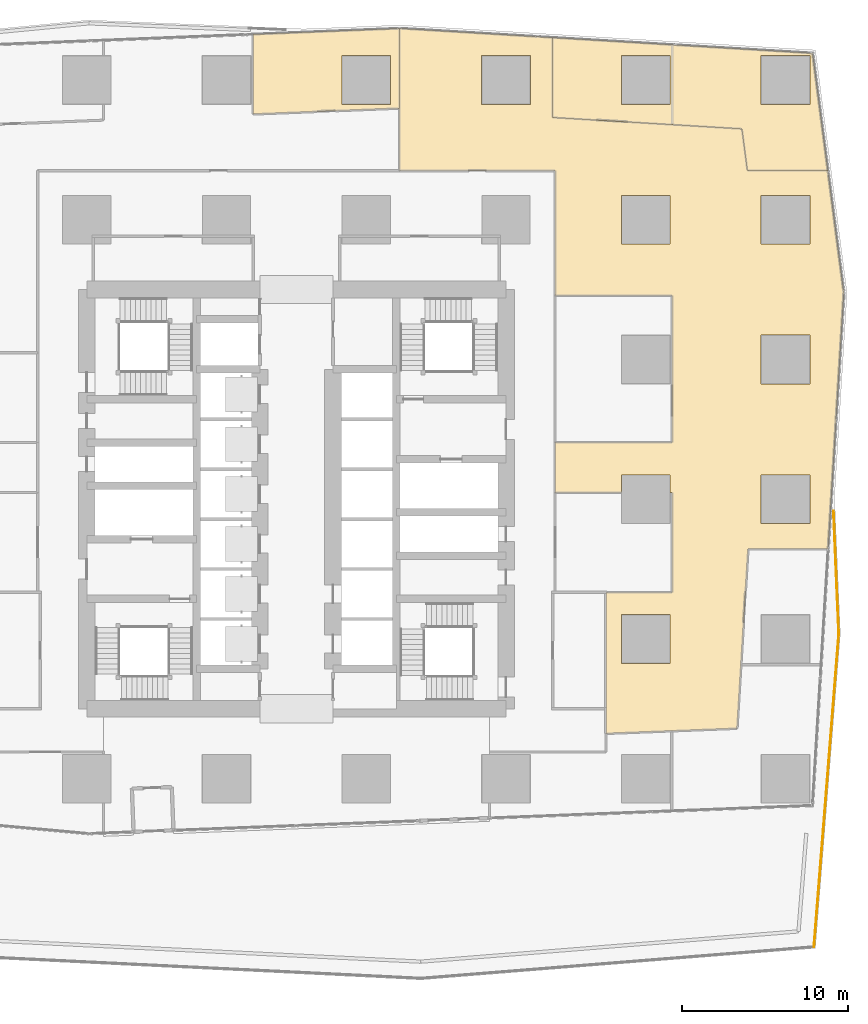
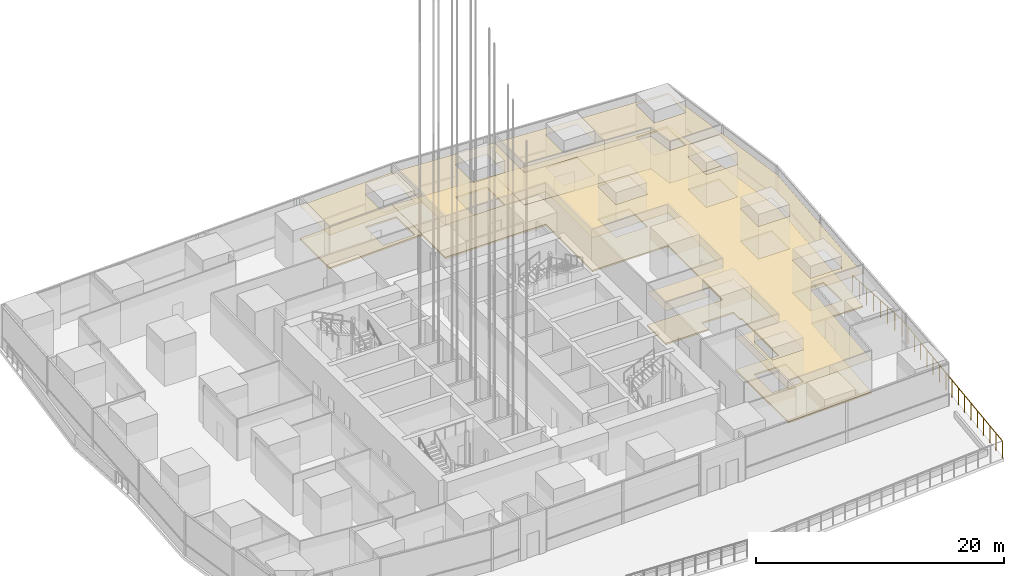
# One storey, part 31 of 44: 6 coverings, 2 railings.
"""IFC4 building model written with IfcOpenShell, lengths in metres."""

from ifc_helpers import new_model, si_unit, direction, frame, origin, origin_2d, place, context, subcontext, project, spatial, polyline, circle, outline, extrude, material, layer, layer_set, type_object, element, save


model = new_model("IFC4")

# Units and contexts
model_context = context("Model", 3, precision=1e-05, world=origin(), true_north=direction((0.0, 1.0)))
body_context = subcontext(model_context, "Body", "Model", "MODEL_VIEW")
ifc_project = project(units=[si_unit("LENGTHUNIT", "METRE"), si_unit("AREAUNIT", "SQUARE_METRE"), si_unit("VOLUMEUNIT", "CUBIC_METRE"), si_unit("PLANEANGLEUNIT", "RADIAN"), si_unit("MASSUNIT", "GRAM", prefix="KILO")], contexts=[model_context])

# Site, building, storey
site_placement = place(None, origin())
site = spatial("IfcSite", under=ifc_project, at=site_placement, CompositionType="ELEMENT")
building_placement = place(site_placement, origin())
building = spatial("IfcBuilding", under=site, at=building_placement, Name="Rekha Terrace Tower", CompositionType="ELEMENT")
storey_placement = place(building_placement, frame((0.0, 0.0, 90.800048828125)))
storey = spatial("IfcBuildingStorey", under=building, at=storey_placement, Name="L22", CompositionType="ELEMENT", Elevation=90.800048828125)

# Coverings
ifc_material_1 = material(Name="Mineral fibre tile in exposed grid", Category="finish")
ifc_layer_1 = layer(ifc_material_1, 0.02001953125)
ifc_layer_set_1 = layer_set([ifc_layer_1], Name="Mineral fibre tile in exposed grid")
covering_type_1 = type_object("IfcCoveringType", Name="CL1 600x1200 office grid ceiling", PredefinedType="CEILING", material=ifc_layer_set_1)
covering_1_placement = place(storey_placement, frame((0.0, 0.0, 3.329833984375)))
element("IfcCovering", 1, at=covering_1_placement, inside=storey, type_object=covering_type_1, Name="Ceiling L22-06", PredefinedType="CEILING", context=body_context, shape_type="SweptSolid", body=[
    extrude(outline(polyline([(68.778076171875, 60.4130859375), (60.383056640625, 60.9169921875), (53.197021484375, 61.34912109375), (53.197021484375, 56.541015625), (60.385986328125, 56.10888671875), (64.574951171875, 55.85693359375), (64.902099609375, 53.347900390625), (69.741943359375, 53.347900390625), (69.156982421875, 57.841064453125), (68.822998046875, 60.409912109375), (68.778076171875, 60.4130859375)]), holes=[polyline([(68.6650390625, 57.3349609375), (65.735107421875, 57.3349609375), (65.735107421875, 60.264892578125), (68.6650390625, 60.264892578125), (68.6650390625, 57.3349609375)]), polyline([(60.264892578125, 57.3349609375), (57.3349609375, 57.3349609375), (57.3349609375, 60.264892578125), (60.264892578125, 60.264892578125), (60.264892578125, 57.3349609375)])]), origin(), (0.0, 0.0, 1.0), 0.02001953125),
])
covering_2_placement = place(storey_placement, frame((0.0, 0.0, 3.329833984375)))
element("IfcCovering", 2, at=covering_2_placement, inside=storey, type_object=covering_type_1, Name="Ceiling L22-O1", PredefinedType="CEILING", context=body_context, shape_type="SweptSolid", body=[
    extrude(outline(polyline([(56.39990234375, 19.512939453125), (60.362060546875, 19.66796875), (64.285888671875, 19.820068359375), (64.51904296875, 23.635009765625), (64.946044921875, 30.596923828125), (69.7548828125, 30.596923828125), (70.35498046875, 40.388916015625), (70.7109375, 46.197021484375), (70.673095703125, 46.197021484375), (69.741943359375, 53.347900390625), (64.902099609375, 53.347900390625), (64.574951171875, 55.85693359375), (60.385009765625, 56.10888671875), (53.197021484375, 56.541015625), (53.197021484375, 61.34912109375), (44.0380859375, 61.89990234375), (43.993896484375, 61.89794921875), (43.993896484375, 53.35009765625), (53.35009765625, 53.35009765625), (53.35009765625, 45.8359375), (60.385986328125, 45.8359375), (60.385986328125, 37.0), (53.35009765625, 37.0), (53.35009765625, 34.0), (57.3349609375, 34.0), (57.3349609375, 35.06494140625), (60.264892578125, 35.06494140625), (60.264892578125, 34.0), (60.385986328125, 34.0), (60.385986328125, 28.0), (56.39990234375, 28.0), (56.39990234375, 19.512939453125)]), holes=[polyline([(68.6650390625, 35.06494140625), (68.6650390625, 32.135009765625), (65.735107421875, 32.135009765625), (65.735107421875, 35.06494140625), (68.6650390625, 35.06494140625)]), polyline([(68.6650390625, 40.534912109375), (65.735107421875, 40.534912109375), (65.735107421875, 43.465087890625), (68.6650390625, 43.465087890625), (68.6650390625, 40.534912109375)]), polyline([(68.6650390625, 48.93505859375), (65.735107421875, 48.93505859375), (65.735107421875, 51.864990234375), (68.6650390625, 51.864990234375), (68.6650390625, 48.93505859375)]), polyline([(60.264892578125, 26.6650390625), (60.264892578125, 23.735107421875), (57.3349609375, 23.735107421875), (57.3349609375, 26.6650390625), (60.264892578125, 26.6650390625)]), polyline([(60.264892578125, 48.93505859375), (57.3349609375, 48.93505859375), (57.3349609375, 51.864990234375), (60.264892578125, 51.864990234375), (60.264892578125, 48.93505859375)]), polyline([(51.864990234375, 57.3349609375), (48.93505859375, 57.3349609375), (48.93505859375, 60.264892578125), (51.864990234375, 60.264892578125), (51.864990234375, 57.3349609375)])]), origin(), (0.0, 0.0, 1.0), 0.02001953125),
])
covering_3_placement = place(storey_placement, frame((0.0, 0.0, 3.329833984375)))
element("IfcCovering", 3, at=covering_3_placement, inside=storey, type_object=covering_type_1, Name="Ceiling L22-10", PredefinedType="CEILING", context=body_context, shape_type="SweptSolid", body=[
    extrude(outline(polyline([(43.992919921875, 61.89794921875), (35.199951171875, 61.5458984375), (35.199951171875, 56.741943359375), (43.992919921875, 57.093994140625), (43.992919921875, 61.89794921875)]), holes=[polyline([(43.465087890625, 57.3349609375), (40.534912109375, 57.3349609375), (40.534912109375, 60.264892578125), (43.465087890625, 60.264892578125), (43.465087890625, 57.3349609375)])]), origin(), (0.0, 0.0, 1.0), 0.02001953125),
])

# Railings
ifc_material_2 = material(Name="Stainless steel posts and laminated glass infill", Category="steel")
railing_type = type_object("IfcRailingType", Name="GR4 terrace glass guard 1700", PredefinedType="GUARDRAIL", material=ifc_material_2)
railing_1_placement = place(storey_placement, frame((68.906982421875, 6.69287109375, 0.0)))
element("IfcRailing", 4, at=railing_1_placement, inside=storey, type_object=railing_type, Name="Terrace guard", PredefinedType="GUARDRAIL", context=body_context, shape_type="SweptSolid", body=[
    extrude(circle(Radius=0.02392578125, at=origin_2d()), frame((0.0, 0.0, 1.67578125), z_axis=(0.079124465067, 0.996864744601, 0.0), x_axis=(-0.996864744601, 0.079124465067, 0.0)), (0.0, 0.0, 1.0), 18.867919921875),
    extrude(circle(Radius=0.02099609375, at=origin_2d()), origin(), (0.0, 0.0, 1.0), 1.65185546875),
    extrude(circle(Radius=0.02099609375, at=origin_2d()), frame((0.09326171875, 1.175537109375, 0.0)), (0.0, 0.0, 1.0), 1.65185546875),
    extrude(circle(Radius=0.02099609375, at=origin_2d()), frame((0.1865234375, 2.35107421875, 0.0)), (0.0, 0.0, 1.0), 1.65185546875),
    extrude(circle(Radius=0.02099609375, at=origin_2d()), frame((0.280029296875, 3.526611328125, 0.0)), (0.0, 0.0, 1.0), 1.65185546875),
    extrude(circle(Radius=0.02099609375, at=origin_2d()), frame((0.373291015625, 4.7021484375, 0.0)), (0.0, 0.0, 1.0), 1.65185546875),
    extrude(circle(Radius=0.02099609375, at=origin_2d()), frame((0.466552734375, 5.877685546875, 0.0)), (0.0, 0.0, 1.0), 1.65185546875),
    extrude(circle(Radius=0.02099609375, at=origin_2d()), frame((0.559814453125, 7.05322265625, 0.0)), (0.0, 0.0, 1.0), 1.65185546875),
    extrude(circle(Radius=0.02099609375, at=origin_2d()), frame((0.653076171875, 8.228759765625, 0.0)), (0.0, 0.0, 1.0), 1.65185546875),
    extrude(circle(Radius=0.02099609375, at=origin_2d()), frame((0.74658203125, 9.404296875, 0.0)), (0.0, 0.0, 1.0), 1.65185546875),
    extrude(circle(Radius=0.02099609375, at=origin_2d()), frame((0.83984375, 10.580078125, 0.0)), (0.0, 0.0, 1.0), 1.65185546875),
    extrude(circle(Radius=0.02099609375, at=origin_2d()), frame((0.93310546875, 11.755615234375, 0.0)), (0.0, 0.0, 1.0), 1.65185546875),
    extrude(circle(Radius=0.02099609375, at=origin_2d()), frame((1.0263671875, 12.93115234375, 0.0)), (0.0, 0.0, 1.0), 1.65185546875),
    extrude(circle(Radius=0.02099609375, at=origin_2d()), frame((1.11962890625, 14.106689453125, 0.0)), (0.0, 0.0, 1.0), 1.65185546875),
    extrude(circle(Radius=0.02099609375, at=origin_2d()), frame((1.212890625, 15.2822265625, 0.0)), (0.0, 0.0, 1.0), 1.65185546875),
    extrude(circle(Radius=0.02099609375, at=origin_2d()), frame((1.306396484375, 16.457763671875, 0.0)), (0.0, 0.0, 1.0), 1.65185546875),
    extrude(circle(Radius=0.02099609375, at=origin_2d()), frame((1.399658203125, 17.63330078125, 0.0)), (0.0, 0.0, 1.0), 1.65185546875),
    extrude(circle(Radius=0.02099609375, at=origin_2d()), frame((1.492919921875, 18.808837890625, 0.0)), (0.0, 0.0, 1.0), 1.65185546875),
])
railing_2_placement = place(storey_placement, frame((70.39990234375, 25.501708984375, 0.0)))
element("IfcRailing", 5, at=railing_2_placement, inside=storey, type_object=railing_type, Name="Terrace guard", PredefinedType="GUARDRAIL", context=body_context, shape_type="SweptSolid", body=[
    extrude(circle(Radius=0.02392578125, at=origin_2d()), frame((0.0, 0.0, 1.67578125), z_axis=(-0.042704545751, 0.999087744781, 0.0), x_axis=(-0.999087744781, -0.042704545751, 0.0)), (0.0, 0.0, 1.0), 7.375),
    extrude(circle(Radius=0.02099609375, at=origin_2d()), origin(), (0.0, 0.0, 1.0), 1.65185546875),
    extrude(circle(Radius=0.02099609375, at=origin_2d()), frame((-0.044921875, 1.052490234375, 0.0)), (0.0, 0.0, 1.0), 1.65185546875),
    extrude(circle(Radius=0.02099609375, at=origin_2d()), frame((-0.090087890625, 2.105224609375, 0.0)), (0.0, 0.0, 1.0), 1.65185546875),
    extrude(circle(Radius=0.02099609375, at=origin_2d()), frame((-0.135009765625, 3.15771484375, 0.0)), (0.0, 0.0, 1.0), 1.65185546875),
    extrude(circle(Radius=0.02099609375, at=origin_2d()), frame((-0.179931640625, 4.21044921875, 0.0)), (0.0, 0.0, 1.0), 1.65185546875),
    extrude(circle(Radius=0.02099609375, at=origin_2d()), frame((-0.224853515625, 5.262939453125, 0.0)), (0.0, 0.0, 1.0), 1.65185546875),
    extrude(circle(Radius=0.02099609375, at=origin_2d()), frame((-0.27001953125, 6.315673828125, 0.0)), (0.0, 0.0, 1.0), 1.65185546875),
    extrude(circle(Radius=0.02099609375, at=origin_2d()), frame((-0.31494140625, 7.3681640625, 0.0)), (0.0, 0.0, 1.0), 1.65185546875),
])

# Coverings
ifc_material_3 = material(Name="Calcium sulphate panels on steel pedestals", Category="steel")
ifc_layer_2 = layer(ifc_material_3, 0.14990234375)
ifc_layer_set_2 = layer_set([ifc_layer_2], Name="Calcium sulphate panels on steel pedestals")
covering_type_2 = type_object("IfcCoveringType", Name="RF1 150 raised access floor", PredefinedType="FLOORING", material=ifc_layer_set_2)
covering_4_placement = place(storey_placement, origin())
element("IfcCovering", 6, at=covering_4_placement, inside=storey, type_object=covering_type_2, Name="Raised floor L22-06", PredefinedType="FLOORING", context=body_context, shape_type="SweptSolid", body=[
    extrude(outline(polyline([(68.778076171875, 60.4130859375), (60.383056640625, 60.9169921875), (53.197021484375, 61.34912109375), (53.197021484375, 56.541015625), (60.385986328125, 56.10888671875), (64.574951171875, 55.85693359375), (64.902099609375, 53.347900390625), (69.741943359375, 53.347900390625), (69.156982421875, 57.841064453125), (68.822998046875, 60.409912109375), (68.778076171875, 60.4130859375)]), holes=[polyline([(68.6650390625, 57.3349609375), (65.735107421875, 57.3349609375), (65.735107421875, 60.264892578125), (68.6650390625, 60.264892578125), (68.6650390625, 57.3349609375)]), polyline([(60.264892578125, 57.3349609375), (57.3349609375, 57.3349609375), (57.3349609375, 60.264892578125), (60.264892578125, 60.264892578125), (60.264892578125, 57.3349609375)])]), origin(), (0.0, 0.0, 1.0), 0.14990234375),
])
covering_5_placement = place(storey_placement, origin())
element("IfcCovering", 7, at=covering_5_placement, inside=storey, type_object=covering_type_2, Name="Raised floor L22-O1", PredefinedType="FLOORING", context=body_context, shape_type="SweptSolid", body=[
    extrude(outline(polyline([(56.39990234375, 19.512939453125), (60.362060546875, 19.66796875), (64.285888671875, 19.820068359375), (64.51904296875, 23.635009765625), (64.946044921875, 30.596923828125), (69.7548828125, 30.596923828125), (70.35498046875, 40.388916015625), (70.7109375, 46.197021484375), (70.673095703125, 46.197021484375), (69.741943359375, 53.347900390625), (64.902099609375, 53.347900390625), (64.574951171875, 55.85693359375), (60.385009765625, 56.10888671875), (53.197021484375, 56.541015625), (53.197021484375, 61.34912109375), (44.0380859375, 61.89990234375), (43.993896484375, 61.89794921875), (43.993896484375, 53.35009765625), (53.35009765625, 53.35009765625), (53.35009765625, 45.8359375), (60.385986328125, 45.8359375), (60.385986328125, 37.0), (53.35009765625, 37.0), (53.35009765625, 34.0), (57.3349609375, 34.0), (57.3349609375, 35.06494140625), (60.264892578125, 35.06494140625), (60.264892578125, 34.0), (60.385986328125, 34.0), (60.385986328125, 28.0), (56.39990234375, 28.0), (56.39990234375, 19.512939453125)]), holes=[polyline([(68.6650390625, 35.06494140625), (68.6650390625, 32.135009765625), (65.735107421875, 32.135009765625), (65.735107421875, 35.06494140625), (68.6650390625, 35.06494140625)]), polyline([(68.6650390625, 40.534912109375), (65.735107421875, 40.534912109375), (65.735107421875, 43.465087890625), (68.6650390625, 43.465087890625), (68.6650390625, 40.534912109375)]), polyline([(68.6650390625, 48.93505859375), (65.735107421875, 48.93505859375), (65.735107421875, 51.864990234375), (68.6650390625, 51.864990234375), (68.6650390625, 48.93505859375)]), polyline([(60.264892578125, 26.6650390625), (60.264892578125, 23.735107421875), (57.3349609375, 23.735107421875), (57.3349609375, 26.6650390625), (60.264892578125, 26.6650390625)]), polyline([(60.264892578125, 48.93505859375), (57.3349609375, 48.93505859375), (57.3349609375, 51.864990234375), (60.264892578125, 51.864990234375), (60.264892578125, 48.93505859375)]), polyline([(51.864990234375, 57.3349609375), (48.93505859375, 57.3349609375), (48.93505859375, 60.264892578125), (51.864990234375, 60.264892578125), (51.864990234375, 57.3349609375)])]), origin(), (0.0, 0.0, 1.0), 0.14990234375),
])
covering_6_placement = place(storey_placement, origin())
element("IfcCovering", 8, at=covering_6_placement, inside=storey, type_object=covering_type_2, Name="Raised floor L22-10", PredefinedType="FLOORING", context=body_context, shape_type="SweptSolid", body=[
    extrude(outline(polyline([(43.992919921875, 61.89794921875), (35.199951171875, 61.5458984375), (35.199951171875, 56.741943359375), (43.992919921875, 57.093994140625), (43.992919921875, 61.89794921875)]), holes=[polyline([(43.465087890625, 57.3349609375), (40.534912109375, 57.3349609375), (40.534912109375, 60.264892578125), (43.465087890625, 60.264892578125), (43.465087890625, 57.3349609375)])]), origin(), (0.0, 0.0, 1.0), 0.14990234375),
])

save(model, "model.ifc")
